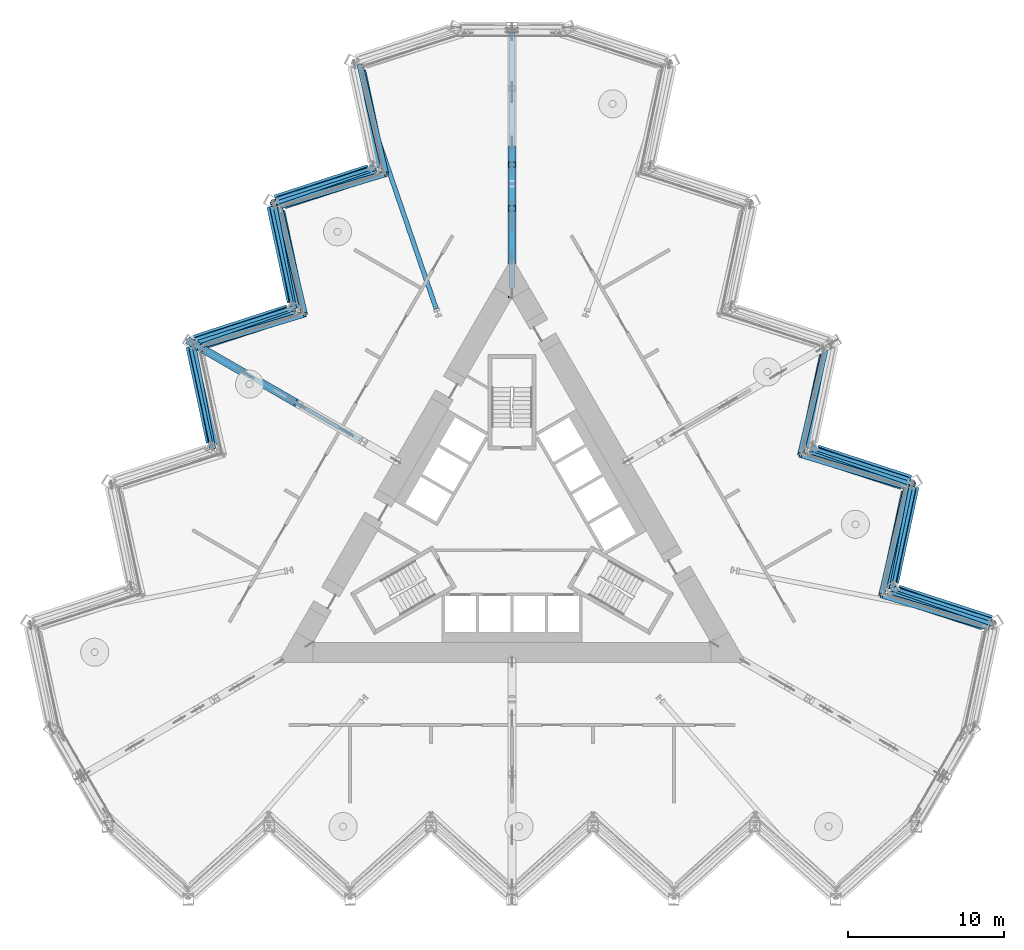
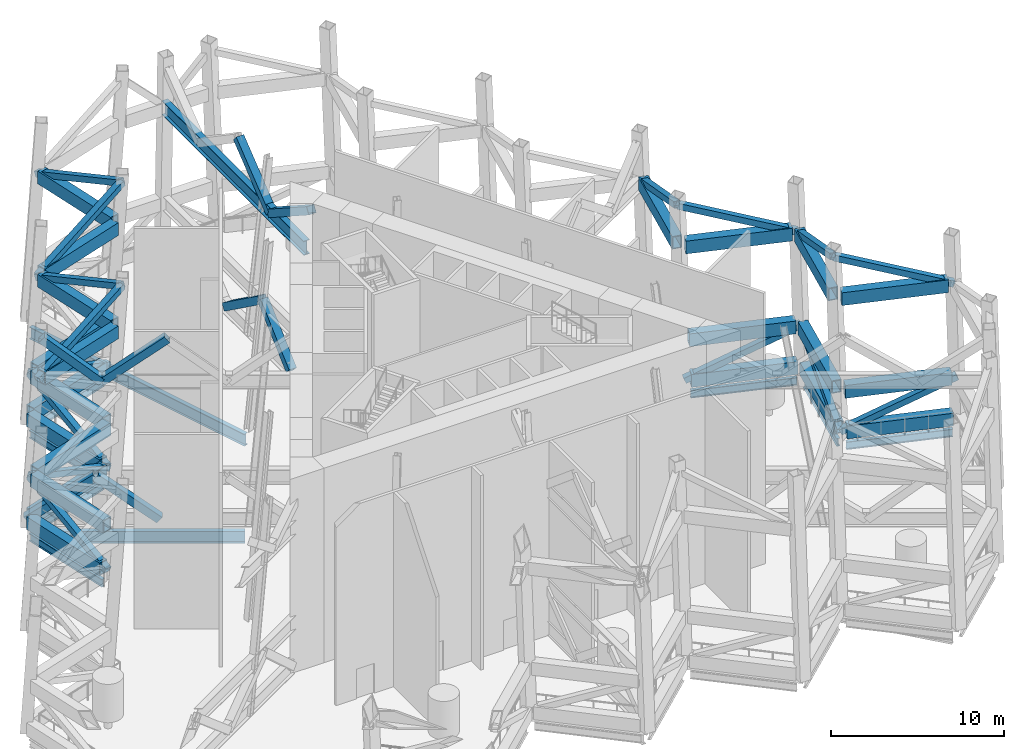
# One storey, part 5 of 19: 46 members, 9 beams.
"""IFC4 building model written with IfcOpenShell, lengths in metres."""

from ifc_helpers import new_model, si_unit, direction, frame, origin, origin_2d, place, context, subcontext, project, spatial, hollow_rectangle, i_section, extrude, material, material_profile, profile_set, type_object, element, save


model = new_model("IFC4")

# Units and contexts
model_context = context("Model", 3, precision=1e-05, world=origin(), true_north=direction((0.0, 1.0)))
body_context = subcontext(model_context, "Body", "Model", "MODEL_VIEW")
ifc_project = project(units=[si_unit("LENGTHUNIT", "METRE"), si_unit("AREAUNIT", "SQUARE_METRE"), si_unit("VOLUMEUNIT", "CUBIC_METRE"), si_unit("PLANEANGLEUNIT", "RADIAN"), si_unit("MASSUNIT", "GRAM", prefix="KILO")], contexts=[model_context])

# Site, building, storey
site_placement = place(None, origin())
site = spatial("IfcSite", under=ifc_project, at=site_placement, CompositionType="ELEMENT")
building_placement = place(site_placement, origin())
building = spatial("IfcBuilding", under=site, at=building_placement, Name="Cormorant Prow Tower", CompositionType="ELEMENT")
storey_placement = place(building_placement, frame((0.0, 0.0, 287.800048828125)))
storey = spatial("IfcBuildingStorey", under=building, at=storey_placement, Name="L64", CompositionType="ELEMENT", Elevation=287.800048828125)

# Members
ifc_material_1 = material(Name="Structural steel ASTM A572 Gr 50", Category="steel")
ifc_material_profile_1 = material_profile(ifc_material_1, hollow_rectangle(XDim=0.60009765625, YDim=0.89990234375, WallThickness=0.06005859375, at=origin_2d()), Name="Box 900x600x60")
ifc_profile_set_1 = profile_set([ifc_material_profile_1], Name="Structural steel ASTM A572 Gr 50")
member_type_1 = type_object("IfcMemberType", Name="Belt truss bottom chord 900x600x60", PredefinedType="CHORD", material=ifc_profile_set_1)
member_1_placement = place(storey_placement, frame((30.730224609375, -5.9208984375, 0.449951171875), z_axis=(-0.951061771288, 0.309000820701, 0.0), x_axis=(-0.309000820701, -0.951061771288, 0.0)))
element("IfcMember", 1, at=member_1_placement, inside=storey, type_object=member_type_1, Name="Belt truss bottom chord ENE01-ENE02 L64", PredefinedType="CHORD", context=body_context, shape_type="SweptSolid", body=[
    extrude(hollow_rectangle(XDim=0.60009765625, YDim=0.89990234375, WallThickness=0.06005859375, at=origin_2d()), origin(), (0.0, 0.0, 1.0), 6.28125),
])
member_2_placement = place(storey_placement, frame((30.548095703125, -6.03857421875, 3.449951171875), z_axis=(-0.951060327373, 0.309005264836, 0.0), x_axis=(-0.309005264836, -0.951060327373, 0.0)))
element("IfcMember", 2, at=member_2_placement, inside=storey, type_object=member_type_1, Name="Belt truss intermediate chord ENE01-ENE02 L64 level 1", PredefinedType="CHORD", context=body_context, shape_type="SweptSolid", body=[
    extrude(hollow_rectangle(XDim=0.60009765625, YDim=0.89990234375, WallThickness=0.06005859375, at=origin_2d()), origin(), (0.0, 0.0, 1.0), 6.28515625),
])
member_3_placement = place(storey_placement, frame((30.18896484375, -6.270263671875, 10.25), z_axis=(-0.951046328947, 0.309048346051, 0.0), x_axis=(-0.309048346051, -0.951046328947, 0.0)))
element("IfcMember", 3, at=member_3_placement, inside=storey, type_object=member_type_1, Name="Belt truss intermediate chord ENE01-ENE02 L64 level 2", PredefinedType="CHORD", context=body_context, shape_type="SweptSolid", body=[
    extrude(hollow_rectangle(XDim=0.60009765625, YDim=0.89990234375, WallThickness=0.06005859375, at=origin_2d()), origin(), (0.0, 0.0, 1.0), 6.292236328125),
])
member_4_placement = place(storey_placement, frame((24.49609375, -3.529296875, 0.449951171875), z_axis=(0.207941499013, 0.978141264331, 0.0), x_axis=(-0.978141264331, 0.207941499013, 0.0)))
element("IfcMember", 4, at=member_4_placement, inside=storey, type_object=member_type_1, Name="Belt truss bottom chord ENE02-ENE03 L64", PredefinedType="CHORD", context=body_context, shape_type="SweptSolid", body=[
    extrude(hollow_rectangle(XDim=0.60009765625, YDim=0.89990234375, WallThickness=0.06005859375, at=origin_2d()), origin(), (0.0, 0.0, 1.0), 6.28125),
])
member_5_placement = place(storey_placement, frame((24.310546875, -3.645751953125, 3.449951171875), z_axis=(0.207897315893, 0.978150656108, 0.0), x_axis=(-0.978150656108, 0.207897315893, 0.0)))
element("IfcMember", 5, at=member_5_placement, inside=storey, type_object=member_type_1, Name="Belt truss intermediate chord ENE02-ENE03 L64 level 1", PredefinedType="CHORD", context=body_context, shape_type="SweptSolid", body=[
    extrude(hollow_rectangle(XDim=0.60009765625, YDim=0.89990234375, WallThickness=0.06005859375, at=origin_2d()), origin(), (0.0, 0.0, 1.0), 6.284912109375),
])
member_6_placement = place(storey_placement, frame((23.944580078125, -3.875244140625, 10.25), z_axis=(0.207936253386, 0.978142379476, 0.0), x_axis=(-0.978142379476, 0.207936253386, 0.0)))
element("IfcMember", 6, at=member_6_placement, inside=storey, type_object=member_type_1, Name="Belt truss intermediate chord ENE02-ENE03 L64 level 2", PredefinedType="CHORD", context=body_context, shape_type="SweptSolid", body=[
    extrude(hollow_rectangle(XDim=0.60009765625, YDim=0.89990234375, WallThickness=0.06005859375, at=origin_2d()), origin(), (0.0, 0.0, 1.0), 6.2919921875),
])
member_7_placement = place(storey_placement, frame((25.5419921875, 3.0654296875, 0.449951171875), z_axis=(-0.951061771288, 0.309000820701, 0.0), x_axis=(-0.309000820701, -0.951061771288, 0.0)))
element("IfcMember", 7, at=member_7_placement, inside=storey, type_object=member_type_1, Name="Belt truss bottom chord ENE03-ENE04 L64", PredefinedType="CHORD", context=body_context, shape_type="SweptSolid", body=[
    extrude(hollow_rectangle(XDim=0.60009765625, YDim=0.89990234375, WallThickness=0.06005859375, at=origin_2d()), origin(), (0.0, 0.0, 1.0), 6.28125),
])
member_8_placement = place(storey_placement, frame((25.357177734375, 2.952392578125, 3.449951171875), z_axis=(-0.951060327373, 0.309005264836, 0.0), x_axis=(-0.309005264836, -0.951060327373, 0.0)))
element("IfcMember", 8, at=member_8_placement, inside=storey, type_object=member_type_1, Name="Belt truss intermediate chord ENE03-ENE04 L64 level 1", PredefinedType="CHORD", context=body_context, shape_type="SweptSolid", body=[
    extrude(hollow_rectangle(XDim=0.60009765625, YDim=0.89990234375, WallThickness=0.06005859375, at=origin_2d()), origin(), (0.0, 0.0, 1.0), 6.28515625),
])
for number, where, z_axis, x_axis, name in (
    (9, (24.99267578125, 2.72998046875, 10.25), (-0.951057732739, 0.309013250521, 0.0), (-0.309013250521, -0.951057732739, 0.0), "Belt truss intermediate chord ENE03-ENE04 L64 level 2"),
    (10, (18.74853515625, 5.124755859375, 10.25), (0.207899129292, 0.978150270684, 0.0), (-0.978150270684, 0.207899129292, 0.0), "Belt truss intermediate chord ENE04-ENE05 L64 level 2"),
):
    element("IfcMember", number, at=place(storey_placement, frame(where, z_axis=z_axis, x_axis=x_axis)), inside=storey, type_object=member_type_1, Name=name, PredefinedType="CHORD", context=body_context, shape_type="SweptSolid", body=[
        extrude(hollow_rectangle(XDim=0.60009765625, YDim=0.89990234375, WallThickness=0.06005859375, at=origin_2d()), origin(), (0.0, 0.0, 1.0), 6.2919921875),
    ])
member_9_placement = place(storey_placement, frame((-9.664306640625, 29.279541015625, 10.25), z_axis=(0.207891239018, -0.978151947675, 0.0), x_axis=(0.978151947675, 0.207891239018, 0.0)))
element("IfcMember", 11, at=member_9_placement, inside=storey, type_object=member_type_1, Name="Belt truss intermediate chord WNW01-WNW02 L64 level 2", PredefinedType="CHORD", context=body_context, shape_type="SweptSolid", body=[
    extrude(hollow_rectangle(XDim=0.60009765625, YDim=0.89990234375, WallThickness=0.06005859375, at=origin_2d()), origin(), (0.0, 0.0, 1.0), 6.292236328125),
])
member_10_placement = place(storey_placement, frame((-9.191650390625, 22.97900390625, 0.449951171875), z_axis=(-0.951050348284, -0.309035976918, 0.0), x_axis=(0.309035976918, -0.951050348284, 0.0)))
element("IfcMember", 12, at=member_10_placement, inside=storey, type_object=member_type_1, Name="Belt truss bottom chord WNW02-WNW03 L64", PredefinedType="CHORD", context=body_context, shape_type="SweptSolid", body=[
    extrude(hollow_rectangle(XDim=0.60009765625, YDim=0.89990234375, WallThickness=0.06005859375, at=origin_2d()), origin(), (0.0, 0.0, 1.0), 6.28125),
])
member_11_placement = place(storey_placement, frame((-8.997802734375, 22.87646484375, 3.449951171875), z_axis=(-0.951060327373, -0.309005264836, 0.0), x_axis=(0.309005264836, -0.951060327373, 0.0)))
element("IfcMember", 13, at=member_11_placement, inside=storey, type_object=member_type_1, Name="Belt truss intermediate chord WNW02-WNW03 L64 level 1", PredefinedType="CHORD", context=body_context, shape_type="SweptSolid", body=[
    extrude(hollow_rectangle(XDim=0.60009765625, YDim=0.89990234375, WallThickness=0.06005859375, at=origin_2d()), origin(), (0.0, 0.0, 1.0), 6.28515625),
])
member_12_placement = place(storey_placement, frame((-8.6162109375, 22.67431640625, 10.25), z_axis=(-0.951057732739, -0.309013250521, 0.0), x_axis=(0.309013250521, -0.951057732739, 0.0)))
element("IfcMember", 14, at=member_12_placement, inside=storey, type_object=member_type_1, Name="Belt truss intermediate chord WNW02-WNW03 L64 level 2", PredefinedType="CHORD", context=body_context, shape_type="SweptSolid", body=[
    extrude(hollow_rectangle(XDim=0.60009765625, YDim=0.89990234375, WallThickness=0.06005859375, at=origin_2d()), origin(), (0.0, 0.0, 1.0), 6.2919921875),
])
member_13_placement = place(storey_placement, frame((-15.42578125, 20.58740234375, 0.449951171875), z_axis=(0.207933593793, -0.978142944856, 0.0), x_axis=(0.978142944856, 0.207933593793, 0.0)))
element("IfcMember", 15, at=member_13_placement, inside=storey, type_object=member_type_1, Name="Belt truss bottom chord WNW03-WNW04 L64", PredefinedType="CHORD", context=body_context, shape_type="SweptSolid", body=[
    extrude(hollow_rectangle(XDim=0.60009765625, YDim=0.89990234375, WallThickness=0.06005859375, at=origin_2d()), origin(), (0.0, 0.0, 1.0), 6.281494140625),
])
member_14_placement = place(storey_placement, frame((-15.2353515625, 20.483642578125, 3.449951171875), z_axis=(0.207897315893, -0.978150656108, 0.0), x_axis=(0.978150656108, 0.207897315893, 0.0)))
element("IfcMember", 16, at=member_14_placement, inside=storey, type_object=member_type_1, Name="Belt truss intermediate chord WNW03-WNW04 L64 level 1", PredefinedType="CHORD", context=body_context, shape_type="SweptSolid", body=[
    extrude(hollow_rectangle(XDim=0.60009765625, YDim=0.89990234375, WallThickness=0.06005859375, at=origin_2d()), origin(), (0.0, 0.0, 1.0), 6.284912109375),
])
member_15_placement = place(storey_placement, frame((-14.860595703125, 20.279541015625, 10.25), z_axis=(0.20792836183, -0.978144057052, 0.0), x_axis=(0.978144057052, 0.20792836183, 0.0)))
element("IfcMember", 17, at=member_15_placement, inside=storey, type_object=member_type_1, Name="Belt truss intermediate chord WNW03-WNW04 L64 level 2", PredefinedType="CHORD", context=body_context, shape_type="SweptSolid", body=[
    extrude(hollow_rectangle(XDim=0.60009765625, YDim=0.89990234375, WallThickness=0.06005859375, at=origin_2d()), origin(), (0.0, 0.0, 1.0), 6.292236328125),
])
member_16_placement = place(storey_placement, frame((-14.3798828125, 13.99267578125, 0.449951171875), z_axis=(-0.951050348284, -0.309035976918, 0.0), x_axis=(0.309035976918, -0.951050348284, 0.0)))
element("IfcMember", 18, at=member_16_placement, inside=storey, type_object=member_type_1, Name="Belt truss bottom chord WNW04-WNW05 L64", PredefinedType="CHORD", context=body_context, shape_type="SweptSolid", body=[
    extrude(hollow_rectangle(XDim=0.60009765625, YDim=0.89990234375, WallThickness=0.06005859375, at=origin_2d()), origin(), (0.0, 0.0, 1.0), 6.28125),
])
member_17_placement = place(storey_placement, frame((-14.188720703125, 13.885498046875, 3.449951171875), z_axis=(-0.951060327373, -0.309005264836, 0.0), x_axis=(0.309005264836, -0.951060327373, 0.0)))
element("IfcMember", 19, at=member_17_placement, inside=storey, type_object=member_type_1, Name="Belt truss intermediate chord WNW04-WNW05 L64 level 1", PredefinedType="CHORD", context=body_context, shape_type="SweptSolid", body=[
    extrude(hollow_rectangle(XDim=0.60009765625, YDim=0.89990234375, WallThickness=0.06005859375, at=origin_2d()), origin(), (0.0, 0.0, 1.0), 6.28515625),
])
member_18_placement = place(storey_placement, frame((-13.8125, 13.67431640625, 10.25), z_axis=(-0.951057732739, -0.309013250521, 0.0), x_axis=(0.309013250521, -0.951057732739, 0.0)))
element("IfcMember", 20, at=member_18_placement, inside=storey, type_object=member_type_1, Name="Belt truss intermediate chord WNW04-WNW05 L64 level 2", PredefinedType="CHORD", context=body_context, shape_type="SweptSolid", body=[
    extrude(hollow_rectangle(XDim=0.60009765625, YDim=0.89990234375, WallThickness=0.06005859375, at=origin_2d()), origin(), (0.0, 0.0, 1.0), 6.2919921875),
])
member_19_placement = place(storey_placement, frame((-20.614013671875, 11.60107421875, 0.449951171875), z_axis=(0.207933593793, -0.978142944856, 0.0), x_axis=(0.978142944856, 0.207933593793, 0.0)))
element("IfcMember", 21, at=member_19_placement, inside=storey, type_object=member_type_1, Name="Belt truss bottom chord WNW05-WNW06 L64", PredefinedType="CHORD", context=body_context, shape_type="SweptSolid", body=[
    extrude(hollow_rectangle(XDim=0.60009765625, YDim=0.89990234375, WallThickness=0.06005859375, at=origin_2d()), origin(), (0.0, 0.0, 1.0), 6.281494140625),
])
member_20_placement = place(storey_placement, frame((-20.42626953125, 11.492919921875, 3.449951171875), z_axis=(0.207897315893, -0.978150656108, 0.0), x_axis=(0.978150656108, 0.207897315893, 0.0)))
element("IfcMember", 22, at=member_20_placement, inside=storey, type_object=member_type_1, Name="Belt truss intermediate chord WNW05-WNW06 L64 level 1", PredefinedType="CHORD", context=body_context, shape_type="SweptSolid", body=[
    extrude(hollow_rectangle(XDim=0.60009765625, YDim=0.89990234375, WallThickness=0.06005859375, at=origin_2d()), origin(), (0.0, 0.0, 1.0), 6.284912109375),
])
ifc_material_2 = material(Name="Structural steel ASTM A500 Gr C", Category="steel")
ifc_material_profile_2 = material_profile(ifc_material_2, hollow_rectangle(XDim=0.406494140625, YDim=0.406494140625, WallThickness=0.014892578125, at=origin_2d()), Name="HSS16x16x5/8")
ifc_profile_set_2 = profile_set([ifc_material_profile_2], Name="Structural steel ASTM A500 Gr C")
member_type_2 = type_object("IfcMemberType", Name="Belt truss diagonal HSS16x16x5/8", PredefinedType="BRACE", material=ifc_profile_set_2)
member_21_placement = place(storey_placement, frame((24.399169921875, -3.886962890625, 0.449951171875), z_axis=(0.865234606203, -0.30165398, 0.400467167917), x_axis=(0.3292047616, 0.944258558309, 0.0)))
element("IfcMember", 23, at=member_21_placement, inside=storey, type_object=member_type_2, Name="Belt truss diagonal ENE01-ENE02 L64 lower girder band", PredefinedType="BRACE", context=body_context, shape_type="SweptSolid", body=[
    extrude(hollow_rectangle(XDim=0.406494140625, YDim=0.406494140625, WallThickness=0.014892578125, at=origin_2d()), origin(), (0.0, 0.0, 1.0), 7.4912109375),
])
member_22_placement = place(storey_placement, frame((25.32568359375, 2.621826171875, 10.25), z_axis=(-0.20890583165, -0.897669874241, 0.388004059751), x_axis=(0.97397321077, -0.226663152501, 0.0)))
element("IfcMember", 24, at=member_22_placement, inside=storey, type_object=member_type_2, Name="Belt truss diagonal ENE02-ENE03 L64 upper girder band", PredefinedType="BRACE", context=body_context, shape_type="SweptSolid", body=[
    extrude(hollow_rectangle(XDim=0.406494140625, YDim=0.406494140625, WallThickness=0.014892578125, at=origin_2d()), origin(), (0.0, 0.0, 1.0), 7.73193359375),
])
member_23_placement = place(storey_placement, frame((19.210693359375, 5.099853515625, 0.449951171875), z_axis=(0.865297224447, -0.30123520316, 0.400647058819), x_axis=(0.32877595358, 0.944407948054, 0.0)))
element("IfcMember", 25, at=member_23_placement, inside=storey, type_object=member_type_2, Name="Belt truss diagonal ENE03-ENE04 L64 lower girder band", PredefinedType="BRACE", context=body_context, shape_type="SweptSolid", body=[
    extrude(hollow_rectangle(XDim=0.406494140625, YDim=0.406494140625, WallThickness=0.014892578125, at=origin_2d()), origin(), (0.0, 0.0, 1.0), 7.48779296875),
])
member_24_placement = place(storey_placement, frame((20.12939453125, 11.621826171875, 10.25), z_axis=(-0.209278412901, -0.897512191299, 0.38816802079), x_axis=(0.973875078502, -0.227084414862, 0.0)))
element("IfcMember", 26, at=member_24_placement, inside=storey, type_object=member_type_2, Name="Belt truss diagonal ENE04-ENE05 L64 upper girder band", PredefinedType="BRACE", context=body_context, shape_type="SweptSolid", body=[
    extrude(hollow_rectangle(XDim=0.406494140625, YDim=0.406494140625, WallThickness=0.014892578125, at=origin_2d()), origin(), (0.0, 0.0, 1.0), 7.728515625),
])
member_25_placement = place(storey_placement, frame((-14.933349609375, 20.621826171875, 10.25), z_axis=(0.881855247301, 0.267922578536, 0.388006204484), x_axis=(-0.290696699513, 0.956815253271, 0.0)))
element("IfcMember", 27, at=member_25_placement, inside=storey, type_object=member_type_2, Name="Belt truss diagonal WNW02-WNW03 L64 upper girder band", PredefinedType="BRACE", context=body_context, shape_type="SweptSolid", body=[
    extrude(hollow_rectangle(XDim=0.406494140625, YDim=0.406494140625, WallThickness=0.014892578125, at=origin_2d()), origin(), (0.0, 0.0, 1.0), 7.73193359375),
])
member_26_placement = place(storey_placement, frame((-14.02197265625, 14.0869140625, 0.449951171875), z_axis=(-0.171756755243, 0.899994964262, 0.400635347082), x_axis=(-0.982272475514, -0.187458752391, 0.0)))
element("IfcMember", 28, at=member_26_placement, inside=storey, type_object=member_type_2, Name="Belt truss diagonal WNW03-WNW04 L64 lower girder band", PredefinedType="BRACE", context=body_context, shape_type="SweptSolid", body=[
    extrude(hollow_rectangle(XDim=0.406494140625, YDim=0.406494140625, WallThickness=0.014892578125, at=origin_2d()), origin(), (0.0, 0.0, 1.0), 7.488037109375),
])
member_27_placement = place(storey_placement, frame((-20.12939453125, 11.621826171875, 10.25), z_axis=(0.881911802728, 0.267498715721, 0.388170077796), x_axis=(-0.290258539336, 0.956948264193, 0.0)))
element("IfcMember", 29, at=member_27_placement, inside=storey, type_object=member_type_2, Name="Belt truss diagonal WNW04-WNW05 L64 upper girder band", PredefinedType="BRACE", context=body_context, shape_type="SweptSolid", body=[
    extrude(hollow_rectangle(XDim=0.406494140625, YDim=0.406494140625, WallThickness=0.014892578125, at=origin_2d()), origin(), (0.0, 0.0, 1.0), 7.728515625),
])
member_28_placement = place(storey_placement, frame((-19.210693359375, 5.099853515625, 0.449951171875), z_axis=(-0.172122308806, 0.899850342114, 0.400803284178), x_axis=(-0.982193370147, -0.187872785786, 0.0)))
element("IfcMember", 30, at=member_28_placement, inside=storey, type_object=member_type_2, Name="Belt truss diagonal WNW05-WNW06 L64 lower girder band", PredefinedType="BRACE", context=body_context, shape_type="SweptSolid", body=[
    extrude(hollow_rectangle(XDim=0.406494140625, YDim=0.406494140625, WallThickness=0.014892578125, at=origin_2d()), origin(), (0.0, 0.0, 1.0), 7.48486328125),
])
ifc_material_3 = material(Name="Structural steel ASTM A500 Gr C", Category="steel")
ifc_material_profile_3 = material_profile(ifc_material_3, hollow_rectangle(XDim=0.406494140625, YDim=0.406494140625, WallThickness=0.014892578125, at=origin_2d()), Name="HSS16x16x5/8")
ifc_profile_set_3 = profile_set([ifc_material_profile_3], Name="Structural steel ASTM A500 Gr C")
member_type_3 = type_object("IfcMemberType", Name="Belt truss strut HSS16x16x5/8", PredefinedType="STRUT", material=ifc_profile_set_3)
member_29_placement = place(storey_placement, frame((30.521728515625, -6.37841796875, 10.25), z_axis=(-0.882016648102, 0.266701044603, 0.3884806112), x_axis=(-0.289434096381, -0.957197943924, 0.0)))
element("IfcMember", 31, at=member_29_placement, inside=storey, type_object=member_type_3, Name="Belt truss strut ENE01-ENE02 L64 upper girder band", PredefinedType="STRUT", context=body_context, shape_type="SweptSolid", body=[
    extrude(hollow_rectangle(XDim=0.406494140625, YDim=0.406494140625, WallThickness=0.014892578125, at=origin_2d()), origin(), (0.0, 0.0, 1.0), 7.722412109375),
])
member_30_placement = place(storey_placement, frame((24.399169921875, -3.886962890625, 0.449951171875), z_axis=(0.172524862392, 0.899694151884, 0.400980803683), x_axis=(-0.982106160263, 0.188328144402, 0.0)))
element("IfcMember", 32, at=member_30_placement, inside=storey, type_object=member_type_3, Name="Belt truss strut ENE02-ENE03 L64 lower girder band", PredefinedType="STRUT", context=body_context, shape_type="SweptSolid", body=[
    extrude(hollow_rectangle(XDim=0.406494140625, YDim=0.406494140625, WallThickness=0.014892578125, at=origin_2d()), origin(), (0.0, 0.0, 1.0), 7.481689453125),
])
member_31_placement = place(storey_placement, frame((25.32568359375, 2.621826171875, 10.25), z_axis=(-0.881967796389, 0.267096342222, 0.388319906913), x_axis=(-0.289841782359, -0.957074574523, 0.0)))
element("IfcMember", 33, at=member_31_placement, inside=storey, type_object=member_type_3, Name="Belt truss strut ENE03-ENE04 L64 upper girder band", PredefinedType="STRUT", context=body_context, shape_type="SweptSolid", body=[
    extrude(hollow_rectangle(XDim=0.406494140625, YDim=0.406494140625, WallThickness=0.014892578125, at=origin_2d()), origin(), (0.0, 0.0, 1.0), 7.7255859375),
])
member_32_placement = place(storey_placement, frame((-9.737060546875, 29.621826171875, 10.25), z_axis=(0.210048663444, -0.897196119789, 0.388482537086), x_axis=(0.973672140697, 0.227952982938, 0.0)))
element("IfcMember", 34, at=member_32_placement, inside=storey, type_object=member_type_3, Name="Belt truss strut WNW01-WNW02 L64 upper girder band", PredefinedType="STRUT", context=body_context, shape_type="SweptSolid", body=[
    extrude(hollow_rectangle(XDim=0.406494140625, YDim=0.406494140625, WallThickness=0.014892578125, at=origin_2d()), origin(), (0.0, 0.0, 1.0), 7.722412109375),
])
member_33_placement = place(storey_placement, frame((-8.83349609375, 23.07373046875, 0.449951171875), z_axis=(-0.865421787564, -0.300417533044, 0.40099181469), x_axis=(0.327937512451, -0.944699416707, 0.0)))
element("IfcMember", 35, at=member_33_placement, inside=storey, type_object=member_type_3, Name="Belt truss strut WNW02-WNW03 L64 lower girder band", PredefinedType="STRUT", context=body_context, shape_type="SweptSolid", body=[
    extrude(hollow_rectangle(XDim=0.406494140625, YDim=0.406494140625, WallThickness=0.014892578125, at=origin_2d()), origin(), (0.0, 0.0, 1.0), 7.4814453125),
])
member_34_placement = place(storey_placement, frame((-14.933349609375, 20.621826171875, 10.25), z_axis=(0.209675536304, -0.897354412795, 0.388318461206), x_axis=(0.973770843537, 0.227530974323, 0.0)))
element("IfcMember", 36, at=member_34_placement, inside=storey, type_object=member_type_3, Name="Belt truss strut WNW03-WNW04 L64 upper girder band", PredefinedType="STRUT", context=body_context, shape_type="SweptSolid", body=[
    extrude(hollow_rectangle(XDim=0.406494140625, YDim=0.406494140625, WallThickness=0.014892578125, at=origin_2d()), origin(), (0.0, 0.0, 1.0), 7.7255859375),
])
member_35_placement = place(storey_placement, frame((-14.02197265625, 14.0869140625, 0.449951171875), z_axis=(-0.865359416443, -0.300837161623, 0.400811779467), x_axis=(0.328367341188, -0.944550098852, 0.0)))
element("IfcMember", 37, at=member_35_placement, inside=storey, type_object=member_type_3, Name="Belt truss strut WNW04-WNW05 L64 lower girder band", PredefinedType="STRUT", context=body_context, shape_type="SweptSolid", body=[
    extrude(hollow_rectangle(XDim=0.406494140625, YDim=0.406494140625, WallThickness=0.014892578125, at=origin_2d()), origin(), (0.0, 0.0, 1.0), 7.48486328125),
])
ifc_material_4 = material(Name="Structural steel ASTM A992 Gr 50", Category="steel")
ifc_material_profile_4 = material_profile(ifc_material_4, i_section(OverallWidth=0.39990234375, OverallDepth=1.000244140625, WebThickness=0.01904296875, FlangeThickness=0.0361328125, at=origin_2d()), Name="W40x249")
ifc_profile_set_4 = profile_set([ifc_material_profile_4], Name="Structural steel ASTM A992 Gr 50")
member_type_4 = type_object("IfcMemberType", Name="Outrigger chord W40x249", PredefinedType="CHORD", material=ifc_profile_set_4)
member_36_placement = place(storey_placement, frame((0.0, 15.40673828125, 10.19970703125), z_axis=(0.0, 1.0, 0.0), x_axis=(-1.0, 0.0, 0.0)))
element("IfcMember", 38, at=member_36_placement, inside=storey, type_object=member_type_4, Name="Outrigger intermediate chord 1 L64 level 2", PredefinedType="CHORD", context=body_context, shape_type="SweptSolid", body=[
    extrude(i_section(OverallWidth=0.39990234375, OverallDepth=1.000244140625, WebThickness=0.01904296875, FlangeThickness=0.0361328125, at=origin_2d()), origin(), (0.0, 0.0, 1.0), 16.36328125),
])
ifc_material_5 = material(Name="Structural steel ASTM A500 Gr C", Category="steel")
ifc_material_profile_5 = material_profile(ifc_material_5, hollow_rectangle(XDim=0.508056640625, YDim=0.508056640625, WallThickness=0.014892578125, at=origin_2d()), Name="HSS20x20x5/8")
ifc_profile_set_5 = profile_set([ifc_material_profile_5], Name="Structural steel ASTM A500 Gr C")
member_type_5 = type_object("IfcMemberType", Name="Outrigger diagonal HSS20x20x5/8", PredefinedType="BRACE", material=ifc_profile_set_5)
member_37_placement = place(storey_placement, frame((0.0, 17.17041015625, 0.5), z_axis=(0.0, 0.739250295928, 0.673430768505), x_axis=(-1.0, 0.0, 0.0)))
element("IfcMember", 39, at=member_37_placement, inside=storey, type_object=member_type_5, Name="Outrigger diagonal 1.1 L64 lower girder band", PredefinedType="BRACE", context=body_context, shape_type="SweptSolid", body=[
    extrude(hollow_rectangle(XDim=0.508056640625, YDim=0.508056640625, WallThickness=0.014892578125, at=origin_2d()), origin(), (0.0, 0.0, 1.0), 4.454833984375),
])
member_38_placement = place(storey_placement, frame((0.0, 14.861083984375, 13.19970703125), z_axis=(0.0, 0.839576087599, -0.543242112812), x_axis=(-1.0, 0.0, 0.0)))
element("IfcMember", 40, at=member_38_placement, inside=storey, type_object=member_type_5, Name="Outrigger diagonal 1.1 L64 upper girder band", PredefinedType="BRACE", context=body_context, shape_type="SweptSolid", body=[
    extrude(hollow_rectangle(XDim=0.508056640625, YDim=0.508056640625, WallThickness=0.014892578125, at=origin_2d()), origin(), (0.0, 0.0, 1.0), 5.5224609375),
])
member_39_placement = place(storey_placement, frame((-14.0283203125, 8.099365234375, 0.5), z_axis=(-0.671859343725, 0.387895558125, 0.6309849905), x_axis=(-0.499997472108, -0.866026863259, 0.0)))
element("IfcMember", 41, at=member_39_placement, inside=storey, type_object=member_type_5, Name="Outrigger diagonal 2.3 L64 lower girder band", PredefinedType="BRACE", context=body_context, shape_type="SweptSolid", body=[
    extrude(hollow_rectangle(XDim=0.508056640625, YDim=0.508056640625, WallThickness=0.014892578125, at=origin_2d()), origin(), (0.0, 0.0, 1.0), 4.75439453125),
])
member_40_placement = place(storey_placement, frame((-13.64794921875, 7.879638671875, 13.19970703125), z_axis=(-0.678352376215, 0.39166262187, -0.621641733085), x_axis=(-0.500015027522, -0.866016727467, 0.0)))
element("IfcMember", 42, at=member_40_placement, inside=storey, type_object=member_type_5, Name="Outrigger diagonal 2.3 L64 upper girder band", PredefinedType="BRACE", context=body_context, shape_type="SweptSolid", body=[
    extrude(hollow_rectangle(XDim=0.508056640625, YDim=0.508056640625, WallThickness=0.014892578125, at=origin_2d()), origin(), (0.0, 0.0, 1.0), 4.825927734375),
])
ifc_material_6 = material(Name="Structural steel ASTM A500 Gr C", Category="steel")
ifc_material_profile_6 = material_profile(ifc_material_6, hollow_rectangle(XDim=0.508056640625, YDim=0.508056640625, WallThickness=0.014892578125, at=origin_2d()), Name="HSS20x20x5/8")
ifc_profile_set_6 = profile_set([ifc_material_profile_6], Name="Structural steel ASTM A500 Gr C")
member_type_6 = type_object("IfcMemberType", Name="Outrigger strut HSS20x20x5/8", PredefinedType="STRUT", material=ifc_profile_set_6)
member_41_placement = place(storey_placement, frame((0.0, 20.463623046875, 3.5), z_axis=(0.0, 0.810986715657, -0.585064566547), x_axis=(-1.0, 0.0, 0.0)))
element("IfcMember", 43, at=member_41_placement, inside=storey, type_object=member_type_6, Name="Outrigger strut 1.2 L64 lower girder band", PredefinedType="STRUT", context=body_context, shape_type="SweptSolid", body=[
    extrude(hollow_rectangle(XDim=0.508056640625, YDim=0.508056640625, WallThickness=0.014892578125, at=origin_2d()), origin(), (0.0, 0.0, 1.0), 5.127685546875),
])
member_42_placement = place(storey_placement, frame((0.0, 19.49755859375, 10.19970703125), z_axis=(0.0, 0.782566272093, 0.622567289361), x_axis=(-1.0, 0.0, 0.0)))
element("IfcMember", 44, at=member_42_placement, inside=storey, type_object=member_type_6, Name="Outrigger strut 1.2 L64 upper girder band", PredefinedType="STRUT", context=body_context, shape_type="SweptSolid", body=[
    extrude(hollow_rectangle(XDim=0.508056640625, YDim=0.508056640625, WallThickness=0.014892578125, at=origin_2d()), origin(), (0.0, 0.0, 1.0), 4.81884765625),
])
member_43_placement = place(storey_placement, frame((-17.22265625, 9.943603515625, 3.5), z_axis=(-0.692834864377, 0.399958444859, -0.600010910809), x_axis=(-0.49995317011, -0.866052439346, 0.0)))
element("IfcMember", 45, at=member_43_placement, inside=storey, type_object=member_type_6, Name="Outrigger strut 2.4 L64 lower girder band", PredefinedType="STRUT", context=body_context, shape_type="SweptSolid", body=[
    extrude(hollow_rectangle(XDim=0.508056640625, YDim=0.508056640625, WallThickness=0.014892578125, at=origin_2d()), origin(), (0.0, 0.0, 1.0), 5.0),
])
member_44_placement = place(storey_placement, frame((-16.921630859375, 9.769775390625, 10.19970703125), z_axis=(-0.655014860801, 0.378188034065, 0.65416308595), x_axis=(-0.500014901547, -0.866016800201, 0.0)))
element("IfcMember", 46, at=member_44_placement, inside=storey, type_object=member_type_6, Name="Outrigger strut 2.4 L64 upper girder band", PredefinedType="STRUT", context=body_context, shape_type="SweptSolid", body=[
    extrude(hollow_rectangle(XDim=0.508056640625, YDim=0.508056640625, WallThickness=0.014892578125, at=origin_2d()), origin(), (0.0, 0.0, 1.0), 4.5859375),
])

# Beams
ifc_material_7 = material(Name="Structural steel ASTM A992 Gr 50", Category="steel")
ifc_material_profile_7 = material_profile(ifc_material_7, i_section(OverallWidth=0.29296875, OverallDepth=0.845703125, WebThickness=0.015380859375, FlangeThickness=0.0244140625, at=origin_2d()), Name="W33x141")
ifc_profile_set_7 = profile_set([ifc_material_profile_7], Name="Structural steel ASTM A992 Gr 50")
beam_type_1 = type_object("IfcBeamType", Name="Radial floor beam W33x141", PredefinedType="BEAM", material=ifc_profile_set_7)
beam_1_placement = place(storey_placement, frame((-4.85400390625, 14.013916015625, -0.77294921875), z_axis=(-0.324535507117, 0.945873514071, 0.0), x_axis=(-0.945873514071, -0.324535507117, 0.0)))
element("IfcBeam", 47, at=beam_1_placement, inside=storey, type_object=beam_type_1, Name="Radial floor beam FB2 2 L64", PredefinedType="BEAM", context=body_context, shape_type="SweptSolid", body=[
    extrude(i_section(OverallWidth=0.29296875, OverallDepth=0.845703125, WebThickness=0.015380859375, FlangeThickness=0.0244140625, at=origin_2d()), origin(), (0.0, 0.0, 1.0), 16.462158203125),
])
beam_2_placement = place(storey_placement, frame((-9.751220703125, 5.6298828125, -0.77294921875), z_axis=(-0.866021995826, 0.500005902711, 0.0), x_axis=(-0.500005902711, -0.866021995826, 0.0)))
element("IfcBeam", 48, at=beam_2_placement, inside=storey, type_object=beam_type_1, Name="Radial floor beam FB2 3 L64", PredefinedType="BEAM", context=body_context, shape_type="SweptSolid", body=[
    extrude(i_section(OverallWidth=0.29296875, OverallDepth=0.845703125, WebThickness=0.015380859375, FlangeThickness=0.0244140625, at=origin_2d()), origin(), (0.0, 0.0, 1.0), 12.277099609375),
])
ifc_material_8 = material(Name="Structural steel ASTM A992 Gr 50", Category="steel")
ifc_material_profile_8 = material_profile(ifc_material_8, i_section(OverallWidth=0.2138671875, OverallDepth=0.549072265625, WebThickness=0.0146484375, FlangeThickness=0.023681640625, at=origin_2d()), Name="W21x93")
ifc_profile_set_8 = profile_set([ifc_material_profile_8], Name="Structural steel ASTM A992 Gr 50")
beam_type_2 = type_object("IfcBeamType", Name="Spandrel beam W21x93", PredefinedType="SPANDREL", material=ifc_profile_set_8)
for number, where, z_axis, x_axis, name in (
    (49, (30.730224609375, -5.9208984375, -0.62451171875), (-0.951061771288, 0.309000820701, 0.0), (-0.309000820701, -0.951061771288, 0.0), "Spandrel beam SB2 ENE01-ENE02 L64"),
    (50, (24.49609375, -3.529296875, -0.62451171875), (0.207941499013, 0.978141264331, 0.0), (-0.978141264331, 0.207941499013, 0.0), "Spandrel beam SB2 ENE02-ENE03 L64"),
    (51, (25.5419921875, 3.0654296875, -0.62451171875), (-0.951061771288, 0.309000820701, 0.0), (-0.309000820701, -0.951061771288, 0.0), "Spandrel beam SB2 ENE03-ENE04 L64"),
    (52, (-9.191650390625, 22.97900390625, -0.62451171875), (-0.951050348284, -0.309035976918, 0.0), (0.309035976918, -0.951050348284, 0.0), "Spandrel beam SB2 WNW02-WNW03 L64"),
):
    element("IfcBeam", number, at=place(storey_placement, frame(where, z_axis=z_axis, x_axis=x_axis)), inside=storey, type_object=beam_type_2, Name=name, PredefinedType="SPANDREL", context=body_context, shape_type="SweptSolid", body=[
        extrude(i_section(OverallWidth=0.2138671875, OverallDepth=0.549072265625, WebThickness=0.0146484375, FlangeThickness=0.023681640625, at=origin_2d()), origin(), (0.0, 0.0, 1.0), 6.28125),
    ])
beam_3_placement = place(storey_placement, frame((-15.42578125, 20.58740234375, -0.62451171875), z_axis=(0.207933593793, -0.978142944856, 0.0), x_axis=(0.978142944856, 0.207933593793, 0.0)))
element("IfcBeam", 53, at=beam_3_placement, inside=storey, type_object=beam_type_2, Name="Spandrel beam SB2 WNW03-WNW04 L64", PredefinedType="SPANDREL", context=body_context, shape_type="SweptSolid", body=[
    extrude(i_section(OverallWidth=0.2138671875, OverallDepth=0.549072265625, WebThickness=0.0146484375, FlangeThickness=0.023681640625, at=origin_2d()), origin(), (0.0, 0.0, 1.0), 6.281494140625),
])
beam_4_placement = place(storey_placement, frame((-14.3798828125, 13.99267578125, -0.62451171875), z_axis=(-0.951050348284, -0.309035976918, 0.0), x_axis=(0.309035976918, -0.951050348284, 0.0)))
element("IfcBeam", 54, at=beam_4_placement, inside=storey, type_object=beam_type_2, Name="Spandrel beam SB2 WNW04-WNW05 L64", PredefinedType="SPANDREL", context=body_context, shape_type="SweptSolid", body=[
    extrude(i_section(OverallWidth=0.2138671875, OverallDepth=0.549072265625, WebThickness=0.0146484375, FlangeThickness=0.023681640625, at=origin_2d()), origin(), (0.0, 0.0, 1.0), 6.28125),
])
beam_5_placement = place(storey_placement, frame((-20.614013671875, 11.60107421875, -0.62451171875), z_axis=(0.207933593793, -0.978142944856, 0.0), x_axis=(0.978142944856, 0.207933593793, 0.0)))
element("IfcBeam", 55, at=beam_5_placement, inside=storey, type_object=beam_type_2, Name="Spandrel beam SB2 WNW05-WNW06 L64", PredefinedType="SPANDREL", context=body_context, shape_type="SweptSolid", body=[
    extrude(i_section(OverallWidth=0.2138671875, OverallDepth=0.549072265625, WebThickness=0.0146484375, FlangeThickness=0.023681640625, at=origin_2d()), origin(), (0.0, 0.0, 1.0), 6.281494140625),
])

save(model, "model.ifc")
